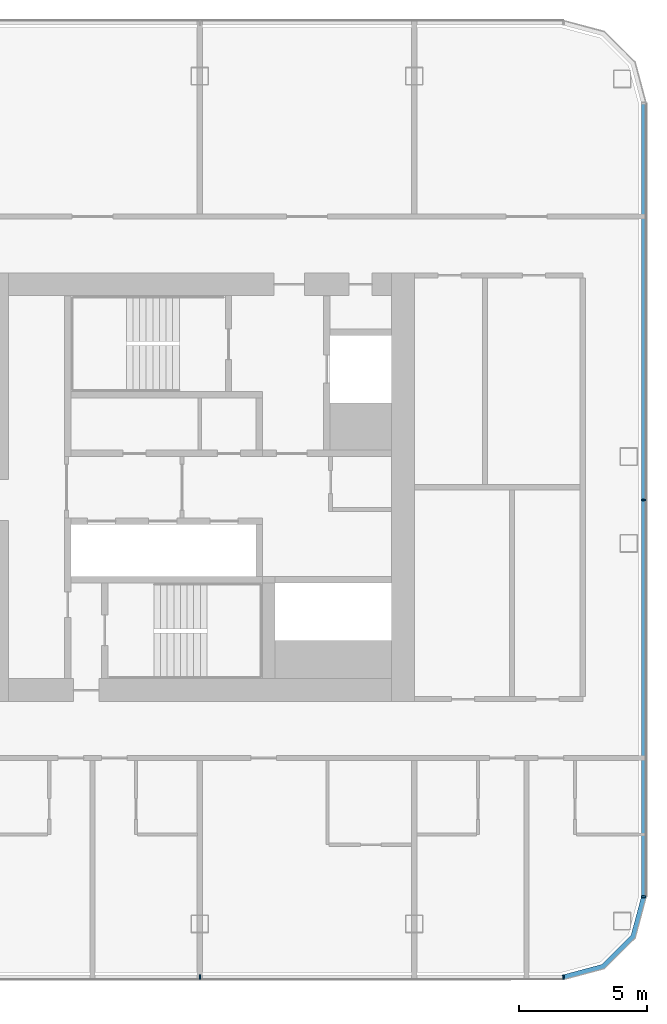
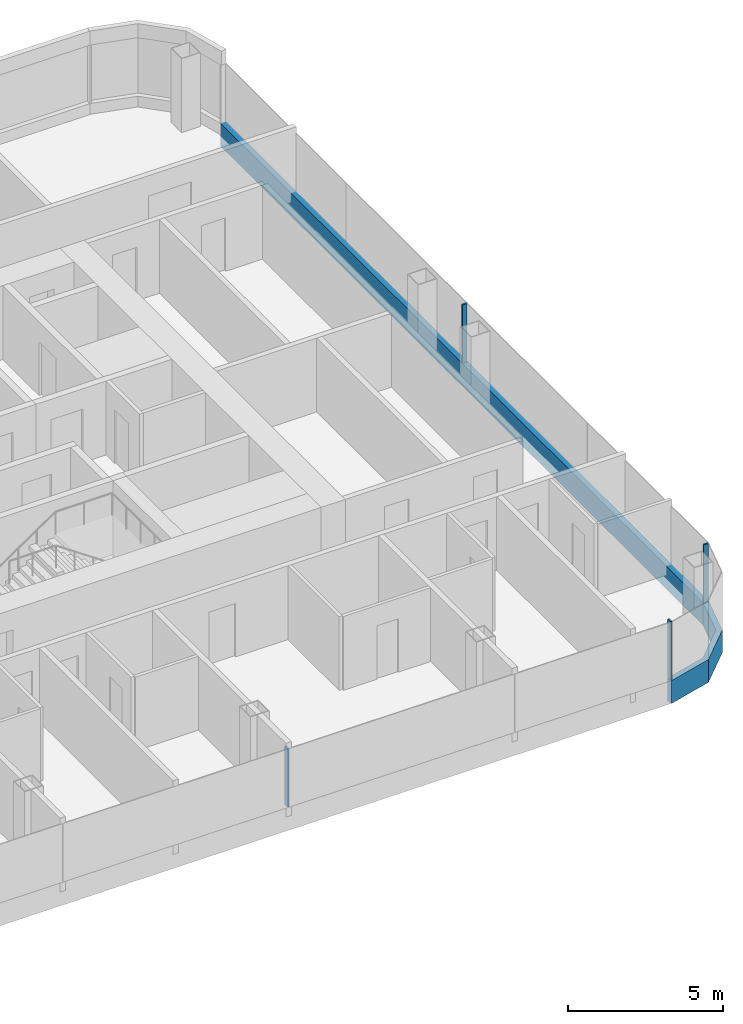
# One storey, part 9 of 26: 6 members, 3 elements without a shape of their own.
"""IFC4 building model written with IfcOpenShell, lengths in metres."""

from ifc_helpers import new_model, si_unit, direction, frame, origin, origin_2d, place, context, subcontext, project, spatial, polyline, rectangle, outline, extrude, material, layer, layer_set, material_profile, profile_set, type_object, element, aggregate, save


model = new_model("IFC4")

# Units and contexts
model_context = context("Model", 3, precision=1e-05, world=origin(), true_north=direction((0.0, 1.0)))
body_context = subcontext(model_context, "Body", "Model", "MODEL_VIEW")
ifc_project = project(units=[si_unit("LENGTHUNIT", "METRE"), si_unit("AREAUNIT", "SQUARE_METRE"), si_unit("VOLUMEUNIT", "CUBIC_METRE"), si_unit("PLANEANGLEUNIT", "RADIAN"), si_unit("MASSUNIT", "GRAM", prefix="KILO")], contexts=[model_context])

# Site, building, storey
site_placement = place(None, origin())
site = spatial("IfcSite", under=ifc_project, at=site_placement, CompositionType="ELEMENT")
building_placement = place(site_placement, origin())
building = spatial("IfcBuilding", under=site, at=building_placement, Name="Hakoniwa Tower and Hamabe Station Hall", CompositionType="ELEMENT")
storey_placement = place(building_placement, frame((0.0, 0.0, 172.60009765625)))
storey = spatial("IfcBuildingStorey", under=building, at=storey_placement, Name="L49", CompositionType="ELEMENT", Elevation=172.60009765625)

# Curtain wall, member
ifc_material_1 = material(Name="Dark low-e laminated glass", Category="glass")
ifc_layer = layer(ifc_material_1, 0.199951171875)
ifc_layer_set = layer_set([ifc_layer], Name="CW-1 UNITISED GUEST")
curtain_wall_type = type_object("IfcCurtainWallType", Name="CW-1 UNITISED GUEST", PredefinedType="NOTDEFINED", material=ifc_layer_set)
curtain_wall_1_placement = place(storey_placement, origin())
curtain_wall_1 = element("IfcCurtainWall", 1, at=curtain_wall_1_placement, inside=storey, type_object=curtain_wall_type, Name="CW-1 curtain wall", PredefinedType="NOTDEFINED")
ifc_material_2 = material(Name="Aluminium 6063-T5 black anodised", Category="aluminium")
ifc_material_profile_1 = material_profile(ifc_material_2, rectangle(XDim=0.199951171875, YDim=0.89990234375, at=origin_2d()), Name="CW SLAB-EDGE BAND 900X200")
ifc_profile_set_1 = profile_set([ifc_material_profile_1], Name="Aluminium 6063-T5 black anodised")
member_type_1 = type_object("IfcMemberType", Name="CW SLAB-EDGE BAND 900X200", PredefinedType="USERDEFINED", material=ifc_profile_set_1)
member_1_placement = place(storey_placement, frame((42.60009765625, -16.03955078125, -0.10009765625), z_axis=(0.0, 1.0, 0.0), x_axis=(-1.0, 0.0, 0.0)))
member_1 = element("IfcMember", 2, at=member_1_placement, type_object=member_type_1, Name="CW-1 transom", ObjectType="TRANSOM", PredefinedType="USERDEFINED", context=body_context, shape_type="SweptSolid", body=[
    extrude(rectangle(XDim=0.199951171875, YDim=0.89990234375, at=origin_2d()), origin(), (0.0, 0.0, 1.0), 31.0791015625),
])

curtain_wall_2_placement = place(storey_placement, origin())
curtain_wall_2 = element("IfcCurtainWall", 3, at=curtain_wall_2_placement, inside=storey, type_object=curtain_wall_type, Name="CW-1 curtain wall", PredefinedType="NOTDEFINED")
member_2_placement = place(storey_placement, frame((0.0, 0.0, -0.550048828125)))
member_2 = element("IfcMember", 4, at=member_2_placement, type_object=member_type_1, Name="CW-1 transom", ObjectType="TRANSOM", PredefinedType="USERDEFINED", context=body_context, shape_type="SweptSolid", body=[
    extrude(outline(polyline([(39.439453125, -19.300048828125), (41.05517578125, -18.866943359375), (42.26708984375, -17.6552734375), (42.699951171875, -16.03955078125), (42.5068359375, -15.98779296875), (42.087646484375, -17.5517578125), (40.95166015625, -18.687744140625), (39.3876953125, -19.10693359375), (39.439453125, -19.300048828125)])), origin(), (0.0, 0.0, 1.0), 0.89990234375),
])
aggregate(curtain_wall_2, [member_2])

# Member
ifc_material_3 = material(Name="Aluminium 6063-T5 black anodised", Category="aluminium")
ifc_material_profile_2 = material_profile(ifc_material_3, rectangle(XDim=0.06005859375, YDim=0.179931640625, at=origin_2d()), Name="CW-1 MULLION 60X180")
ifc_profile_set_2 = profile_set([ifc_material_profile_2], Name="Aluminium 6063-T5 black anodised")
member_type_2 = type_object("IfcMemberType", Name="CW-1 MULLION 60X180", PredefinedType="MULLION", material=ifc_profile_set_2)
member_3_placement = place(storey_placement, frame((42.58203125, -16.03955078125, 0.349853515625), z_axis=(0.0, 0.0, 1.0), x_axis=(0.0, 1.0, 0.0)))
member_3 = element("IfcMember", 5, at=member_3_placement, type_object=member_type_2, Name="CW-1 mullion", PredefinedType="MULLION", context=body_context, shape_type="SweptSolid", body=[
    extrude(rectangle(XDim=0.06005859375, YDim=0.179931640625, at=origin_2d()), origin(), (0.0, 0.0, 1.0), 2.300048828125),
])

member_4_placement = place(storey_placement, frame((42.58203125, -0.5, 0.349853515625), z_axis=(0.0, 0.0, 1.0), x_axis=(0.0, 1.0, 0.0)))
member_4 = element("IfcMember", 6, at=member_4_placement, type_object=member_type_2, Name="CW-1 mullion", PredefinedType="MULLION", context=body_context, shape_type="SweptSolid", body=[
    extrude(rectangle(XDim=0.06005859375, YDim=0.179931640625, at=origin_2d()), origin(), (0.0, 0.0, 1.0), 2.300048828125),
])

aggregate(curtain_wall_1, [member_3, member_4, member_1])

# Curtain wall, members
curtain_wall_3_placement = place(storey_placement, origin())
curtain_wall_3 = element("IfcCurtainWall", 7, at=curtain_wall_3_placement, inside=storey, type_object=curtain_wall_type, Name="CW-1 curtain wall", PredefinedType="NOTDEFINED")
member_5_placement = place(storey_placement, frame((25.199951171875, -19.181884765625, 0.349853515625), z_axis=(0.0, 0.0, 1.0), x_axis=(1.0, 0.0, 0.0)))
member_5 = element("IfcMember", 8, at=member_5_placement, type_object=member_type_2, Name="CW-1 mullion", PredefinedType="MULLION", context=body_context, shape_type="SweptSolid", body=[
    extrude(rectangle(XDim=0.06005859375, YDim=0.179931640625, at=origin_2d()), origin(), (0.0, 0.0, 1.0), 2.300048828125),
])
member_6_placement = place(storey_placement, frame((39.439453125, -19.181884765625, 0.349853515625), z_axis=(0.0, 0.0, 1.0), x_axis=(1.0, 0.0, 0.0)))
member_6 = element("IfcMember", 9, at=member_6_placement, type_object=member_type_2, Name="CW-1 mullion", PredefinedType="MULLION", context=body_context, shape_type="SweptSolid", body=[
    extrude(rectangle(XDim=0.06005859375, YDim=0.179931640625, at=origin_2d()), origin(), (0.0, 0.0, 1.0), 2.300048828125),
])
aggregate(curtain_wall_3, [member_5, member_6])

save(model, "model.ifc")
